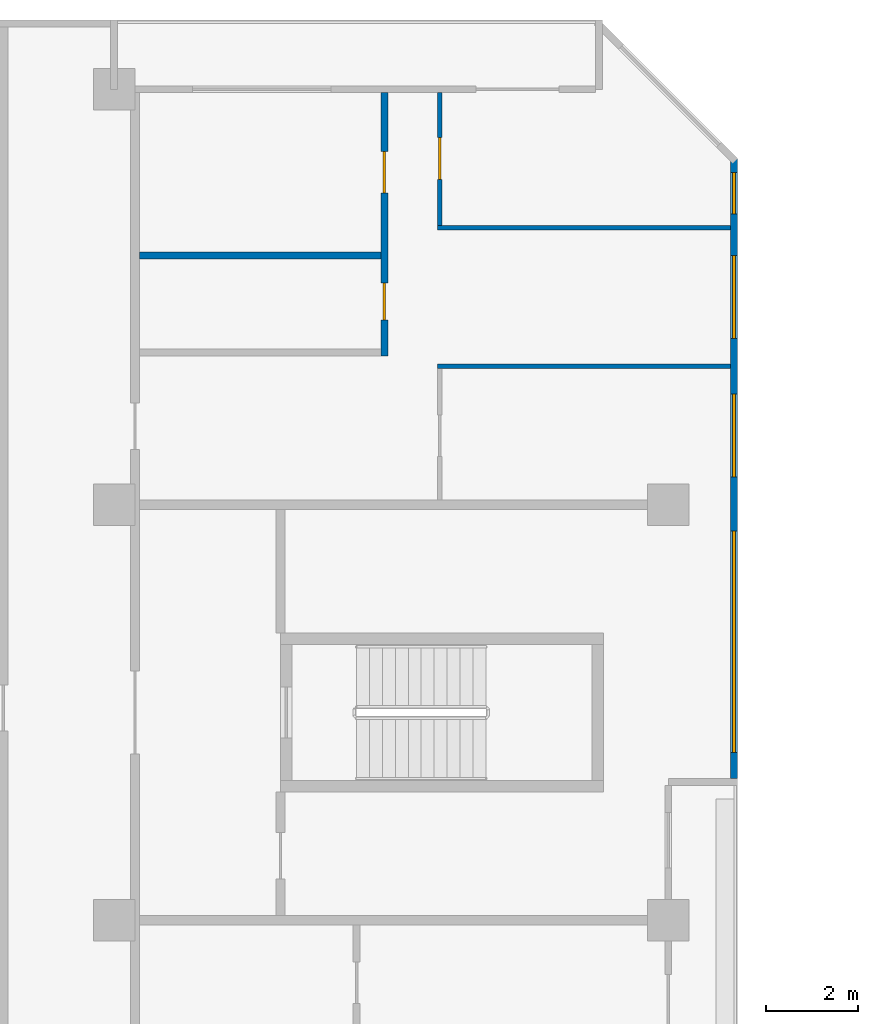
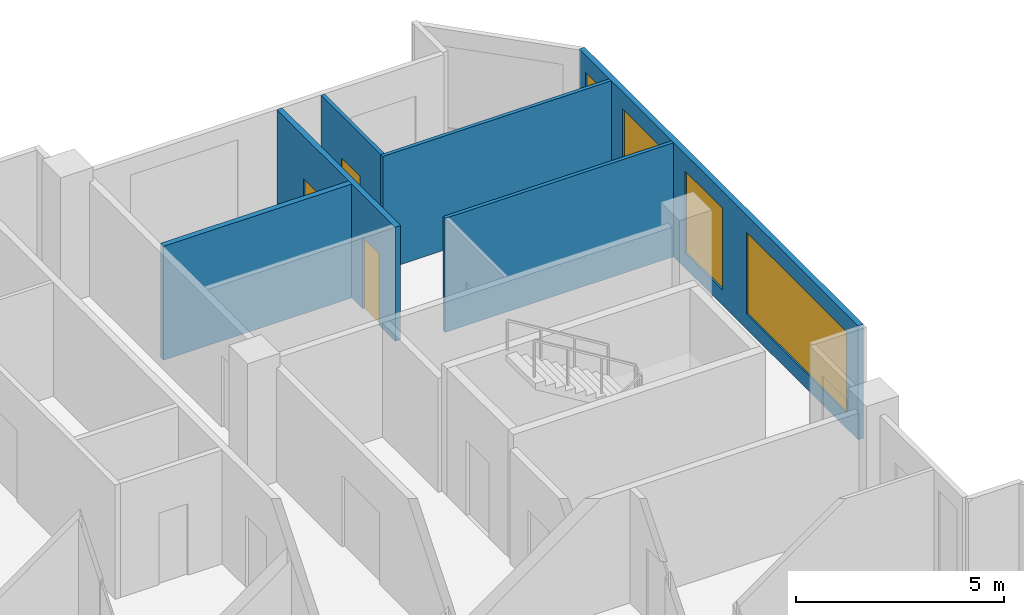
# One storey, part 11 of 15: 6 walls, 4 windows, 3 doors, 7 openings.
"""IFC4 building model written with IfcOpenShell, lengths in metres."""

from ifc_helpers import new_model, si_unit, direction, frame, frame_2d, origin, place, context, subcontext, project, spatial, rectangle, extrude, material, layer, layer_set, type_object, element, fill, save


model = new_model("IFC4")

# Units and contexts
model_context = context("Model", 3, precision=1e-05, world=origin(), true_north=direction((0.0, 1.0)))
body_context = subcontext(model_context, "Body", "Model", "MODEL_VIEW")
ifc_project = project(units=[si_unit("LENGTHUNIT", "METRE"), si_unit("AREAUNIT", "SQUARE_METRE"), si_unit("VOLUMEUNIT", "CUBIC_METRE"), si_unit("PLANEANGLEUNIT", "RADIAN"), si_unit("MASSUNIT", "GRAM", prefix="KILO")], contexts=[model_context])

# Site, building, storey
site_placement = place(None, origin())
site = spatial("IfcSite", under=ifc_project, at=site_placement, CompositionType="ELEMENT")
building_placement = place(site_placement, origin())
building = spatial("IfcBuilding", under=site, at=building_placement, Name="Chenar Terraces", CompositionType="ELEMENT")
storey_placement = place(building_placement, frame((0.0, 0.0, 198.64990234375)))
storey = spatial("IfcBuildingStorey", under=building, at=storey_placement, Name="L46", CompositionType="ELEMENT", Elevation=198.64990234375)

# Wall, openings, windows
ifc_material_1 = material(Name="Aluminium framed glazing", Category="aluminium")
ifc_layer_1 = layer(ifc_material_1, 0.14990234375)
ifc_layer_set_1 = layer_set([ifc_layer_1], Name="Aluminium framed glazing")
wall_type_1 = type_object("IfcWallType", Name="Glazed flush facade wall 150", PredefinedType="SOLIDWALL", material=ifc_layer_set_1)
wall_1_placement = place(storey_placement, frame((25.425048828125, 48.074951171875, 0.0), z_axis=(0.0, 0.0, 1.0), x_axis=(0.0, 1.0, 0.0)))
wall_1 = element("IfcWall", 1, at=wall_1_placement, inside=storey, type_object=wall_type_1, Name="Glazed flush facade wall", PredefinedType="SOLIDWALL", context=body_context, shape_type="SweptSolid", body=[
    extrude(rectangle(XDim=13.425048828125, YDim=0.14990234375, at=frame_2d((6.71240234375, 0.0))), origin(), (0.0, 0.0, 1.0), 3.35009765625),
])
opening_1_placement = place(wall_1_placement, frame((0.5625, 0.0, 0.449951171875)))
opening_1 = element("IfcOpeningElement", 2, at=opening_1_placement, cuts=wall_1, Name="Opening W480x240", PredefinedType="OPENING", context=body_context, shape_type="SweptSolid", body=[
    extrude(rectangle(XDim=4.800048828125, YDim=2.39990234375, at=frame_2d((2.39990234375, 1.199951171875))), frame((0.0, 0.0849609375, 0.0), z_axis=(0.0, -1.0, 0.0), x_axis=(1.0, 0.0, 0.0)), (0.0, 0.0, 1.0), 0.169921875),
])
opening_2_placement = place(wall_1_placement, frame((6.52490234375, 0.0, 0.449951171875)))
opening_2 = element("IfcOpeningElement", 3, at=opening_2_placement, cuts=wall_1, Name="Opening W180x240", PredefinedType="OPENING", context=body_context, shape_type="SweptSolid", body=[
    extrude(rectangle(XDim=1.800048828125, YDim=2.39990234375, at=frame_2d((0.89990234375, 1.199951171875))), frame((0.0, 0.0849609375, 0.0), z_axis=(0.0, -1.0, 0.0), x_axis=(1.0, 0.0, 0.0)), (0.0, 0.0, 1.0), 0.169921875),
])
opening_3_placement = place(wall_1_placement, frame((9.52490234375, 0.0, 0.449951171875)))
opening_3 = element("IfcOpeningElement", 4, at=opening_3_placement, cuts=wall_1, Name="Opening W180x240", PredefinedType="OPENING", context=body_context, shape_type="SweptSolid", body=[
    extrude(rectangle(XDim=1.800048828125, YDim=2.39990234375, at=frame_2d((0.89990234375, 1.199951171875))), frame((0.0, 0.0849609375, 0.0), z_axis=(0.0, -1.0, 0.0), x_axis=(1.0, 0.0, 0.0)), (0.0, 0.0, 1.0), 0.169921875),
])
opening_4_placement = place(wall_1_placement, frame((12.22509765625, 0.0, 0.449951171875)))
opening_4 = element("IfcOpeningElement", 5, at=opening_4_placement, cuts=wall_1, Name="Opening W90x240", PredefinedType="OPENING", context=body_context, shape_type="SweptSolid", body=[
    extrude(rectangle(XDim=0.89990234375, YDim=2.39990234375, at=frame_2d((0.449951171875, 1.199951171875))), frame((0.0, 0.0849609375, 0.0), z_axis=(0.0, -1.0, 0.0), x_axis=(1.0, 0.0, 0.0)), (0.0, 0.0, 1.0), 0.169921875),
])
ifc_material_2 = material(Name="Low emissivity double glazing, aluminium frame", Category="aluminium")
window_type_1 = type_object("IfcWindowType", Name="Fixed light 1800 x 2400", PartitioningType="SINGLE_PANEL", PredefinedType="WINDOW", material=ifc_material_2)
window_1_placement = place(opening_2_placement, origin())
window_1 = element("IfcWindow", 6, at=window_1_placement, inside=storey, type_object=window_type_1, Name="Window", OverallHeight=2.39990234375, OverallWidth=1.800048828125, PartitioningType="SINGLE_PANEL", PredefinedType="WINDOW", context=body_context, shape_type="SweptSolid", body=[
    extrude(rectangle(XDim=1.800048828125, YDim=2.39990234375, at=frame_2d((0.89990234375, 1.199951171875))), frame((0.0, 0.030029296875, 0.0), z_axis=(0.0, -1.0, 0.0), x_axis=(1.0, 0.0, 0.0)), (0.0, 0.0, 1.0), 0.06005859375),
])
fill(opening_2, window_1)
window_2_placement = place(opening_3_placement, origin())
window_2 = element("IfcWindow", 7, at=window_2_placement, inside=storey, type_object=window_type_1, Name="Window", OverallHeight=2.39990234375, OverallWidth=1.800048828125, PartitioningType="SINGLE_PANEL", PredefinedType="WINDOW", context=body_context, shape_type="SweptSolid", body=[
    extrude(rectangle(XDim=1.800048828125, YDim=2.39990234375, at=frame_2d((0.89990234375, 1.199951171875))), frame((0.0, 0.030029296875, 0.0), z_axis=(0.0, -1.0, 0.0), x_axis=(1.0, 0.0, 0.0)), (0.0, 0.0, 1.0), 0.06005859375),
])
fill(opening_3, window_2)
ifc_material_3 = material(Name="Low emissivity double glazing, aluminium frame", Category="aluminium")
window_type_2 = type_object("IfcWindowType", Name="Fixed light 4800 x 2400", PartitioningType="SINGLE_PANEL", PredefinedType="WINDOW", material=ifc_material_3)
window_3_placement = place(opening_1_placement, origin())
window_3 = element("IfcWindow", 8, at=window_3_placement, inside=storey, type_object=window_type_2, Name="Window", OverallHeight=2.39990234375, OverallWidth=4.800048828125, PartitioningType="SINGLE_PANEL", PredefinedType="WINDOW", context=body_context, shape_type="SweptSolid", body=[
    extrude(rectangle(XDim=4.800048828125, YDim=2.39990234375, at=frame_2d((2.39990234375, 1.199951171875))), frame((0.0, 0.030029296875, 0.0), z_axis=(0.0, -1.0, 0.0), x_axis=(1.0, 0.0, 0.0)), (0.0, 0.0, 1.0), 0.06005859375),
])
fill(opening_1, window_3)
ifc_material_4 = material(Name="Low emissivity double glazing, aluminium frame", Category="aluminium")
window_type_3 = type_object("IfcWindowType", Name="Fixed light 900 x 2400", PartitioningType="SINGLE_PANEL", PredefinedType="WINDOW", material=ifc_material_4)
window_4_placement = place(opening_4_placement, origin())
window_4 = element("IfcWindow", 9, at=window_4_placement, inside=storey, type_object=window_type_3, Name="Window", OverallHeight=2.39990234375, OverallWidth=0.89990234375, PartitioningType="SINGLE_PANEL", PredefinedType="WINDOW", context=body_context, shape_type="SweptSolid", body=[
    extrude(rectangle(XDim=0.89990234375, YDim=2.39990234375, at=frame_2d((0.449951171875, 1.199951171875))), frame((0.0, 0.030029296875, 0.0), z_axis=(0.0, -1.0, 0.0), x_axis=(1.0, 0.0, 0.0)), (0.0, 0.0, 1.0), 0.06005859375),
])
fill(opening_4, window_4)

# Walls
ifc_material_5 = material(Name="Gypsum board on steel studs", Category="steel")
ifc_layer_2 = layer(ifc_material_5, 0.10009765625)
ifc_layer_set_2 = layer_set([ifc_layer_2], Name="Gypsum board on steel studs")
wall_type_2 = type_object("IfcWallType", Name="Gypsum partition 100", PredefinedType="PARTITIONING", material=ifc_layer_set_2)
for number, where, z_axis, x_axis, name in (
    (10, (19.0, 57.0, 0.0), (0.0, 0.0, 1.0), (1.0, 0.0, 0.0), "Partition L46-054"),
    (11, (19.0, 60.0, 0.0), (0.0, 0.0, 1.0), (1.0, 0.0, 0.0), "Partition L46-055"),
):
    element("IfcWall", number, at=place(storey_placement, frame(where, z_axis=z_axis, x_axis=x_axis)), inside=storey, type_object=wall_type_2, Name=name, PredefinedType="PARTITIONING", context=body_context, shape_type="SweptSolid", body=[
        extrude(rectangle(XDim=6.35009765625, YDim=0.10009765625, at=frame_2d((3.175048828125, 0.0))), origin(), (0.0, 0.0, 1.0), 3.35009765625),
    ])

# Wall, opening, door
wall_2_placement = place(storey_placement, frame((19.050048828125, 60.050048828125, 0.0), z_axis=(0.0, 0.0, 1.0), x_axis=(0.0, 1.0, 0.0)))
wall_2 = element("IfcWall", 12, at=wall_2_placement, inside=storey, type_object=wall_type_2, Name="Partition L46-057", PredefinedType="PARTITIONING", context=body_context, shape_type="SweptSolid", body=[
    extrude(rectangle(XDim=2.8759765625, YDim=0.10009765625, at=frame_2d((1.43798828125, 0.0))), origin(), (0.0, 0.0, 1.0), 3.35009765625),
])
opening_5_placement = place(wall_2_placement, frame((1.0, 0.0, 0.0)))
opening_5 = element("IfcOpeningElement", 13, at=opening_5_placement, cuts=wall_2, Name="Opening DL46-22", PredefinedType="OPENING", context=body_context, shape_type="SweptSolid", body=[
    extrude(rectangle(XDim=0.89990234375, YDim=2.10009765625, at=frame_2d((0.449951171875, 1.050048828125))), frame((0.0, 0.06005859375, 0.0), z_axis=(0.0, -1.0, 0.0), x_axis=(1.0, 0.0, 0.0)), (0.0, 0.0, 1.0), 0.1201171875),
])
ifc_material_6 = material(Name="Veneered timber door leaf", Category="wood")
door_type_1 = type_object("IfcDoorType", Name="Door 900 x 2100", OperationType="SINGLE_SWING_LEFT", PredefinedType="DOOR", material=ifc_material_6)
door_1_placement = place(opening_5_placement, frame((0.89990234375, 0.0, 0.0), z_axis=(0.0, 0.0, 1.0), x_axis=(-1.0, 0.0, 0.0)))
door_1 = element("IfcDoor", 14, at=door_1_placement, inside=storey, type_object=door_type_1, Name="Door DL46-22", OperationType="SINGLE_SWING_LEFT", OverallHeight=2.10009765625, OverallWidth=0.89990234375, PredefinedType="DOOR", context=body_context, shape_type="SweptSolid", body=[
    extrude(rectangle(XDim=0.89990234375, YDim=2.10009765625, at=frame_2d((0.449951171875, 1.050048828125))), frame((0.0, 0.02490234375, 0.0), z_axis=(0.0, -1.0, 0.0), x_axis=(1.0, 0.0, 0.0)), (0.0, 0.0, 1.0), 0.050048828125),
])
fill(opening_5, door_1)

# Wall
ifc_material_7 = material(Name="Moisture-resistant gypsum board on steel studs", Category="steel")
ifc_layer_3 = layer(ifc_material_7, 0.14990234375)
ifc_layer_set_3 = layer_set([ifc_layer_3], Name="Moisture-resistant gypsum board on steel studs")
wall_type_3 = type_object("IfcWallType", Name="Wet-room partition 150", PredefinedType="PARTITIONING", material=ifc_layer_set_3)
wall_3_placement = place(storey_placement, frame((12.550048828125, 59.39990234375, 0.0), z_axis=(0.0, 0.0, 1.0), x_axis=(1.0, 0.0, 0.0)))
element("IfcWall", 15, at=wall_3_placement, inside=storey, type_object=wall_type_3, Name="Partition L46-045", PredefinedType="PARTITIONING", context=body_context, shape_type="SweptSolid", body=[
    extrude(rectangle(XDim=5.224853515625, YDim=0.14990234375, at=frame_2d((2.6123046875, 0.0))), origin(), (0.0, 0.0, 1.0), 3.35009765625),
])

# Wall, openings, doors
wall_4_placement = place(storey_placement, frame((17.85009765625, 57.22509765625, 0.0), z_axis=(0.0, 0.0, 1.0), x_axis=(0.0, 1.0, 0.0)))
wall_4 = element("IfcWall", 16, at=wall_4_placement, inside=storey, type_object=wall_type_3, Name="Partition L46-050", PredefinedType="PARTITIONING", context=body_context, shape_type="SweptSolid", body=[
    extrude(rectangle(XDim=5.700927734375, YDim=0.14990234375, at=frame_2d((2.8505859375, 0.0))), origin(), (0.0, 0.0, 1.0), 3.35009765625),
])
opening_6_placement = place(wall_4_placement, frame((0.77490234375, 0.0, 0.0)))
opening_6 = element("IfcOpeningElement", 17, at=opening_6_placement, cuts=wall_4, Name="Opening DL46-20", PredefinedType="OPENING", context=body_context, shape_type="SweptSolid", body=[
    extrude(rectangle(XDim=0.800048828125, YDim=2.10009765625, at=frame_2d((0.39990234375, 1.050048828125))), frame((0.0, 0.0849609375, 0.0), z_axis=(0.0, -1.0, 0.0), x_axis=(1.0, 0.0, 0.0)), (0.0, 0.0, 1.0), 0.169921875),
])
opening_7_placement = place(wall_4_placement, frame((3.52490234375, 0.0, 0.0)))
opening_7 = element("IfcOpeningElement", 18, at=opening_7_placement, cuts=wall_4, Name="Opening DL46-23", PredefinedType="OPENING", context=body_context, shape_type="SweptSolid", body=[
    extrude(rectangle(XDim=0.89990234375, YDim=2.10009765625, at=frame_2d((0.449951171875, 1.050048828125))), frame((0.0, 0.0849609375, 0.0), z_axis=(0.0, -1.0, 0.0), x_axis=(1.0, 0.0, 0.0)), (0.0, 0.0, 1.0), 0.169921875),
])
ifc_material_8 = material(Name="Veneered timber door leaf", Category="wood")
door_type_2 = type_object("IfcDoorType", Name="Door 800 x 2100", OperationType="SINGLE_SWING_LEFT", PredefinedType="DOOR", material=ifc_material_8)
door_2_placement = place(opening_6_placement, origin())
door_2 = element("IfcDoor", 19, at=door_2_placement, inside=storey, type_object=door_type_2, Name="Door DL46-20", OperationType="SINGLE_SWING_RIGHT", OverallHeight=2.10009765625, OverallWidth=0.800048828125, PredefinedType="DOOR", context=body_context, shape_type="SweptSolid", body=[
    extrude(rectangle(XDim=0.800048828125, YDim=2.10009765625, at=frame_2d((0.39990234375, 1.050048828125))), frame((0.0, 0.02490234375, 0.0), z_axis=(0.0, -1.0, 0.0), x_axis=(1.0, 0.0, 0.0)), (0.0, 0.0, 1.0), 0.050048828125),
])
fill(opening_6, door_2)
door_3_placement = place(opening_7_placement, origin())
door_3 = element("IfcDoor", 20, at=door_3_placement, inside=storey, type_object=door_type_1, Name="Door DL46-23", OperationType="SINGLE_SWING_LEFT", OverallHeight=2.10009765625, OverallWidth=0.89990234375, PredefinedType="DOOR", context=body_context, shape_type="SweptSolid", body=[
    extrude(rectangle(XDim=0.89990234375, YDim=2.10009765625, at=frame_2d((0.449951171875, 1.050048828125))), frame((0.0, 0.02490234375, 0.0), z_axis=(0.0, -1.0, 0.0), x_axis=(1.0, 0.0, 0.0)), (0.0, 0.0, 1.0), 0.050048828125),
])
fill(opening_7, door_3)

save(model, "model.ifc")
